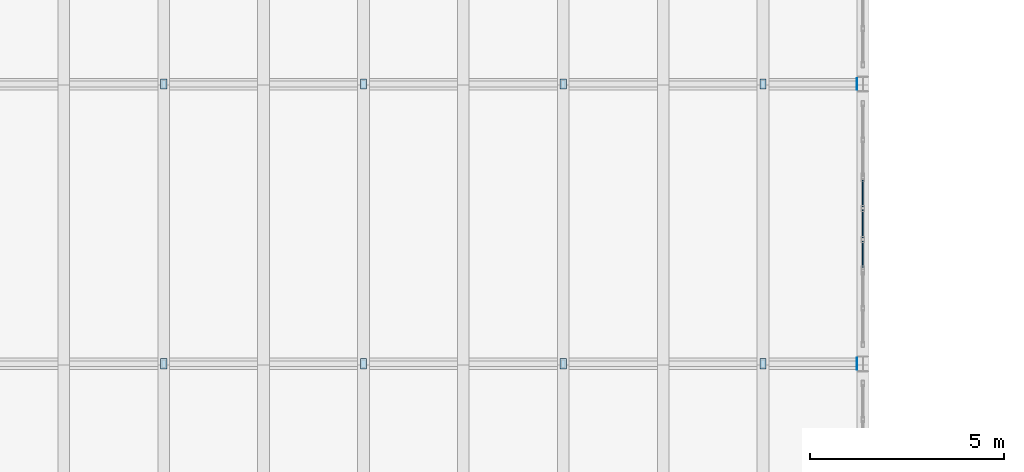
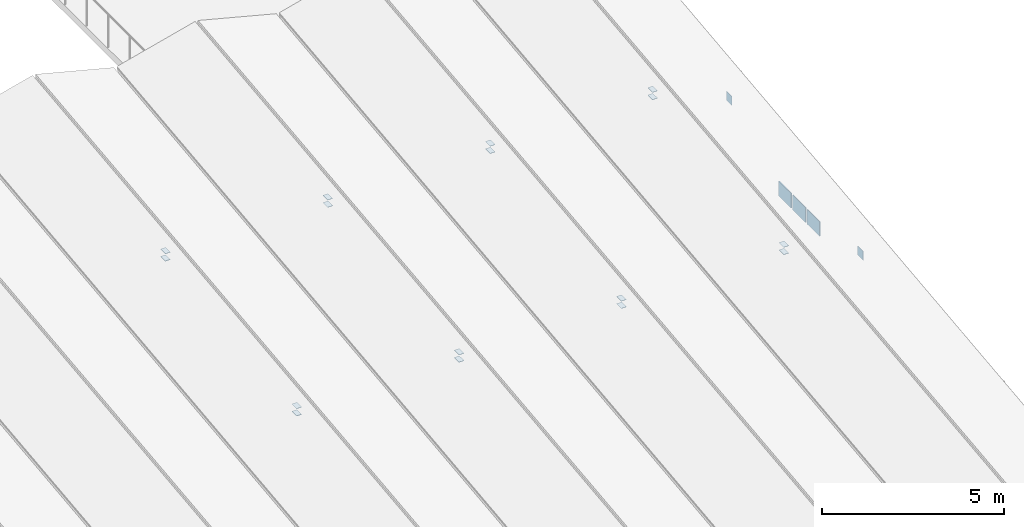
# One storey, part 38 of 48: 21 plates, 1 element without a shape of its own.
"""IFC4 building model written with IfcOpenShell, lengths in metres."""

from ifc_helpers import new_model, si_unit, direction, frame, origin, origin_2d, place, context, subcontext, project, spatial, rectangle, extrude, material, layer, layer_set, type_object, element, aggregate, save


model = new_model("IFC4")

# Units and contexts
model_context = context("Model", 3, precision=1e-05, world=origin(), true_north=direction((0.0, 1.0)))
body_context = subcontext(model_context, "Body", "Model", "MODEL_VIEW")
ifc_project = project(units=[si_unit("LENGTHUNIT", "METRE"), si_unit("AREAUNIT", "SQUARE_METRE"), si_unit("VOLUMEUNIT", "CUBIC_METRE"), si_unit("PLANEANGLEUNIT", "RADIAN"), si_unit("MASSUNIT", "GRAM", prefix="KILO"), si_unit("THERMODYNAMICTEMPERATUREUNIT", "KELVIN"), si_unit("POWERUNIT", "WATT")], contexts=[model_context])

# Site, building, storey
site_placement = place(None, origin())
site = spatial("IfcSite", under=ifc_project, at=site_placement, CompositionType="ELEMENT")
building_placement = place(site_placement, origin())
building = spatial("IfcBuilding", under=site, at=building_placement, Name="Kaldorven Railside Theatre", CompositionType="ELEMENT")
storey_placement = place(building_placement, frame((0.0, 0.0, 18.89990234375)))
storey = spatial("IfcBuildingStorey", under=building, at=storey_placement, Name="L04", CompositionType="ELEMENT", Elevation=18.89990234375)

# Curtain wall, plates
ifc_material_1 = material(Name="Low-E laminated solar-control glass", Category="glass")
ifc_layer_1 = layer(ifc_material_1, 0.159912109375, Name="Low-E laminated solar-control glass")
ifc_layer_set_1 = layer_set([ifc_layer_1], Name="Low-E laminated solar-control glass")
curtain_wall_type = type_object("IfcCurtainWallType", Name="CWT-36", PredefinedType="USERDEFINED", material=ifc_layer_set_1)
curtain_wall_placement = place(storey_placement, origin())
curtain_wall = element("IfcCurtainWall", 1, at=curtain_wall_placement, inside=storey, type_object=curtain_wall_type, Name="Main Theatre East Eave Clerestory CWG-028", ObjectType="FLUTED GLAZING", PredefinedType="USERDEFINED")
ifc_layer_2 = layer(ifc_material_1, 0.028076171875, Name="Low-E laminated solar-control glass")
ifc_layer_set_2 = layer_set([ifc_layer_2], Name="Low-E laminated solar-control glass")
plate_type_1 = type_object("IfcPlateType", Name="CWP-GLZ28", PredefinedType="CURTAIN_PANEL", material=ifc_layer_set_2)
plate_1_placement = place(storey_placement, frame((123.199951171875, 72.419921875, 1.14990234375), z_axis=(0.0, 0.0, 1.0), x_axis=(0.0, 1.0, 0.0)))
plate_1 = element("IfcPlate", 2, at=plate_1_placement, type_object=plate_type_1, Name="CWG-028 panel 1.2", PredefinedType="CURTAIN_PANEL", context=body_context, shape_type="SweptSolid", body=[
    extrude(rectangle(XDim=0.679931640625, YDim=0.028076171875, at=origin_2d()), origin(), (0.0, 0.0, 1.0), 0.489990234375),
])
plate_2_placement = place(storey_placement, frame((123.199951171875, 73.199951171875, 1.14990234375), z_axis=(0.0, 0.0, 1.0), x_axis=(0.0, 1.0, 0.0)))
plate_2 = element("IfcPlate", 3, at=plate_2_placement, type_object=plate_type_1, Name="CWG-028 panel 2.2", PredefinedType="CURTAIN_PANEL", context=body_context, shape_type="SweptSolid", body=[
    extrude(rectangle(XDim=0.719970703125, YDim=0.028076171875, at=origin_2d()), origin(), (0.0, 0.0, 1.0), 0.489990234375),
])
plate_3_placement = place(storey_placement, frame((123.199951171875, 73.97998046875, 1.14990234375), z_axis=(0.0, 0.0, 1.0), x_axis=(0.0, 1.0, 0.0)))
plate_3 = element("IfcPlate", 4, at=plate_3_placement, type_object=plate_type_1, Name="CWG-028 panel 3.2", PredefinedType="CURTAIN_PANEL", context=body_context, shape_type="SweptSolid", body=[
    extrude(rectangle(XDim=0.679931640625, YDim=0.028076171875, at=origin_2d()), origin(), (0.0, 0.0, 1.0), 0.489990234375),
])
aggregate(curtain_wall, [plate_1, plate_2, plate_3])

# Plates
ifc_material_2 = material(Name="Steel S355", Category="steel")
ifc_layer_3 = layer(ifc_material_2, 0.011962890625, Name="Steel S355")
ifc_layer_set_3 = layer_set([ifc_layer_3], Name="Steel S355")
plate_type_2 = type_object("IfcPlateType", Name="PLT-CAP-12", PredefinedType="USERDEFINED", material=ifc_layer_set_3)
for number, where, z_axis, x_axis, name in (
    (5, (123.0478515625, 69.60009765625, 2.138916015625), (1.0, 0.0, 0.0), (0.0, 1.0, 0.0), "End cap gusset plate PL-0168"),
    (6, (123.0478515625, 76.800048828125, 2.958740234375), (1.0, 0.0, 0.0), (0.0, 1.0, 0.0), "End cap gusset plate PL-0170"),
):
    element("IfcPlate", number, at=place(storey_placement, frame(where, z_axis=z_axis, x_axis=x_axis)), inside=storey, type_object=plate_type_2, Name=name, ObjectType="CAP PLATE", PredefinedType="USERDEFINED", context=body_context, shape_type="SweptSolid", body=[
        extrude(rectangle(XDim=0.300048828125, YDim=0.300048828125, at=origin_2d()), origin(), (0.0, 0.0, 1.0), 0.011962890625),
    ])
for number, where, z_axis, x_axis, name in (
    (7, (105.199951171875, 69.60009765625, 3.03369140625), (0.0, 0.0, 1.0), (1.0, 0.0, 0.0), "End cap gusset plate PL-0207"),
    (8, (105.199951171875, 69.60009765625, 3.27734375), (0.0, 0.0, 1.0), (1.0, 0.0, 0.0), "End cap gusset plate PL-0208"),
    (9, (105.199951171875, 76.800048828125, 3.85400390625), (0.0, 0.0, 1.0), (1.0, 0.0, 0.0), "End cap gusset plate PL-0209"),
    (10, (105.199951171875, 76.800048828125, 4.09765625), (0.0, 0.0, 1.0), (1.0, 0.0, 0.0), "End cap gusset plate PL-0210"),
    (11, (110.3427734375, 69.60009765625, 3.03369140625), (0.0, 0.0, 1.0), (1.0, 0.0, 0.0), "End cap gusset plate PL-0217"),
    (12, (110.3427734375, 69.60009765625, 3.27734375), (0.0, 0.0, 1.0), (1.0, 0.0, 0.0), "End cap gusset plate PL-0218"),
    (13, (110.3427734375, 76.800048828125, 3.85400390625), (0.0, 0.0, 1.0), (1.0, 0.0, 0.0), "End cap gusset plate PL-0219"),
    (14, (110.3427734375, 76.800048828125, 4.09765625), (0.0, 0.0, 1.0), (1.0, 0.0, 0.0), "End cap gusset plate PL-0220"),
    (15, (115.485595703125, 69.60009765625, 3.03369140625), (0.0, 0.0, 1.0), (1.0, 0.0, 0.0), "End cap gusset plate PL-0227"),
    (16, (115.485595703125, 69.60009765625, 3.27734375), (0.0, 0.0, 1.0), (1.0, 0.0, 0.0), "End cap gusset plate PL-0228"),
    (17, (115.485595703125, 76.800048828125, 3.85400390625), (0.0, 0.0, 1.0), (1.0, 0.0, 0.0), "End cap gusset plate PL-0229"),
    (18, (115.485595703125, 76.800048828125, 4.09765625), (0.0, 0.0, 1.0), (1.0, 0.0, 0.0), "End cap gusset plate PL-0230"),
    (19, (120.62841796875, 69.60009765625, 3.03369140625), (0.0, 0.0, 1.0), (1.0, 0.0, 0.0), "End cap gusset plate PL-0237"),
    (20, (120.62841796875, 69.60009765625, 3.27734375), (0.0, 0.0, 1.0), (1.0, 0.0, 0.0), "End cap gusset plate PL-0238"),
    (21, (120.62841796875, 76.800048828125, 3.85400390625), (0.0, 0.0, 1.0), (1.0, 0.0, 0.0), "End cap gusset plate PL-0239"),
    (22, (120.62841796875, 76.800048828125, 4.09765625), (0.0, 0.0, 1.0), (1.0, 0.0, 0.0), "End cap gusset plate PL-0240"),
):
    element("IfcPlate", number, at=place(storey_placement, frame(where, z_axis=z_axis, x_axis=x_axis)), inside=storey, type_object=plate_type_2, Name=name, ObjectType="CAP PLATE", PredefinedType="USERDEFINED", context=body_context, shape_type="SweptSolid", body=[
        extrude(rectangle(XDim=0.159912109375, YDim=0.260009765625, at=origin_2d()), origin(), (0.0, 0.0, 1.0), 0.011962890625),
    ])

save(model, "model.ifc")
